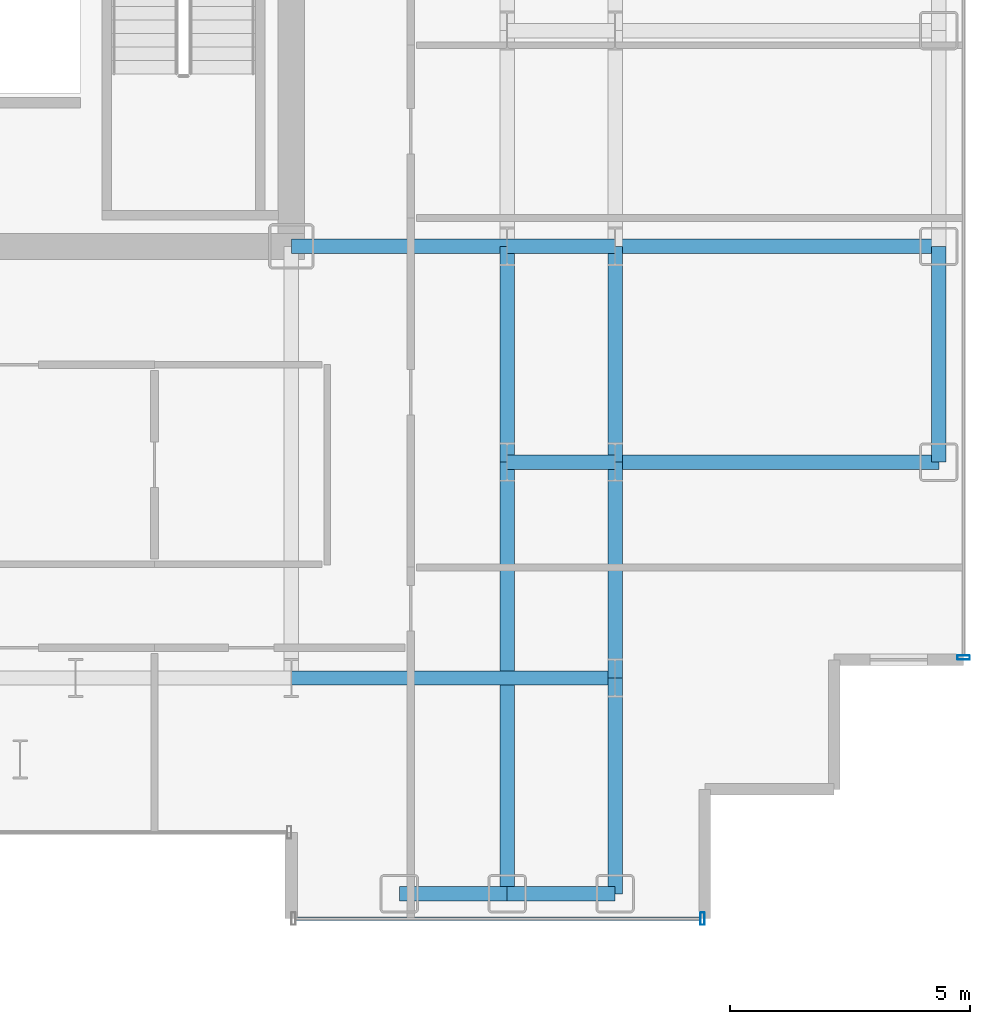
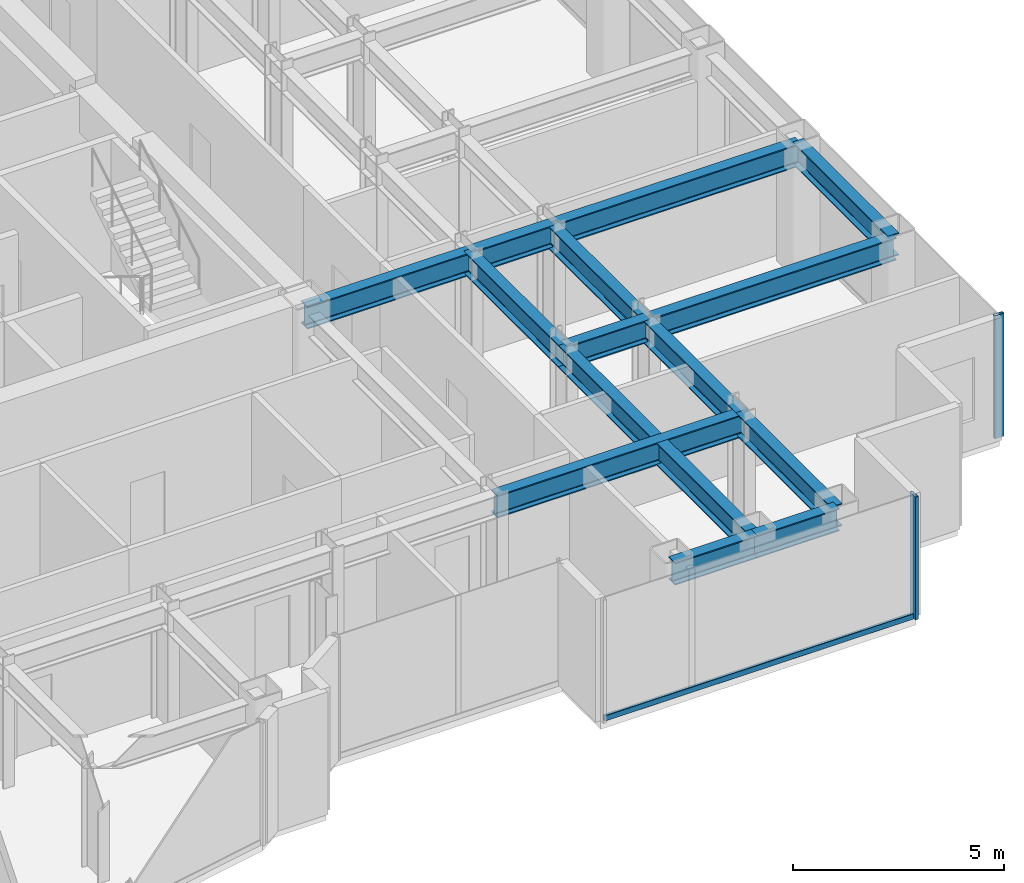
# One storey, part 8 of 23: 14 beams, 3 members, 2 elements without a shape of their own.
"""IFC4 building model written with IfcOpenShell, lengths in metres."""

from ifc_helpers import new_model, si_unit, direction, frame, origin, origin_2d, place, context, subcontext, project, spatial, hollow_rectangle, i_section, extrude, source, transform, mapped, material, layer, layer_set, material_profile, profile_set, type_object, element, aggregate, save


model = new_model("IFC4")

# Units and contexts
model_context = context("Model", 3, precision=1e-05, world=origin(), true_north=direction((0.0, 1.0)))
body_context = subcontext(model_context, "Body", "Model", "MODEL_VIEW")
ifc_project = project(units=[si_unit("LENGTHUNIT", "METRE"), si_unit("AREAUNIT", "SQUARE_METRE"), si_unit("VOLUMEUNIT", "CUBIC_METRE"), si_unit("PLANEANGLEUNIT", "RADIAN"), si_unit("MASSUNIT", "GRAM", prefix="KILO")], contexts=[model_context])

# Site, building, storey
site_placement = place(None, origin())
site = spatial("IfcSite", under=ifc_project, at=site_placement, CompositionType="ELEMENT")
building_placement = place(site_placement, origin())
building = spatial("IfcBuilding", under=site, at=building_placement, Name="Nefas-Gora Pilgrimage Tower", CompositionType="ELEMENT")
storey_placement = place(building_placement, frame((0.0, 0.0, 152.60009765625)))
storey = spatial("IfcBuildingStorey", under=building, at=storey_placement, Name="L37", CompositionType="ELEMENT", Elevation=152.60009765625)

# Beams
ifc_material_1 = material(Name="Steel S355", Category="steel")
ifc_material_profile_1 = material_profile(ifc_material_1, i_section(OverallWidth=0.300048828125, OverallDepth=0.64990234375, WebThickness=0.01611328125, FlangeThickness=0.031005859375, FilletRadius=0.027099609375, at=origin_2d()), Name="HEB 650")
ifc_profile_set_1 = profile_set([ifc_material_profile_1], Name="Steel S355")
beam_type_1 = type_object("IfcBeamType", Name="BM-SPN-HEB500", PredefinedType="SPANDREL", material=ifc_profile_set_1)
shared_shape_1 = source(origin(), body_context, "Body", "SweptSolid", [
    extrude(i_section(OverallWidth=0.300048828125, OverallDepth=0.64990234375, WebThickness=0.01611328125, FlangeThickness=0.031005859375, FilletRadius=0.027099609375, at=origin_2d()), origin(), (0.0, 0.0, 1.0), 4.5),
])
beam_1_placement = place(storey_placement, frame((24.75, -13.5, 3.224853515625), z_axis=(0.0, 1.0, 0.0), x_axis=(-1.0, 0.0, 0.0)))
element("IfcBeam", 1, at=beam_1_placement, inside=storey, type_object=beam_type_1, Name="L37 SP-02 beam", PredefinedType="SPANDREL", context=body_context, shape_type="MappedRepresentation", body=[
    mapped(shared_shape_1, transform((0.0, 0.0, 0.0), x_axis=(1.0, 0.0, 0.0), y_axis=(0.0, 1.0, 0.0), z_axis=(0.0, 0.0, 1.0), scale=1.0)),
])
ifc_material_profile_2 = material_profile(ifc_material_1, i_section(OverallWidth=0.300048828125, OverallDepth=0.64990234375, WebThickness=0.01611328125, FlangeThickness=0.031005859375, FilletRadius=0.027099609375, at=origin_2d()), Name="HEB 650")
ifc_profile_set_2 = profile_set([ifc_material_profile_2], Name="Steel S355")
beam_type_2 = type_object("IfcBeamType", Name="BM-GIR-HEB650", PredefinedType="BEAM", material=ifc_profile_set_2)
shared_shape_2 = source(origin(), body_context, "Body", "SweptSolid", [
    extrude(i_section(OverallWidth=0.300048828125, OverallDepth=0.64990234375, WebThickness=0.01611328125, FlangeThickness=0.031005859375, FilletRadius=0.027099609375, at=origin_2d()), origin(), (0.0, 0.0, 1.0), 9.0),
])
beam_2_placement = place(storey_placement, frame((15.75, -22.5, 3.224853515625), z_axis=(0.0, 1.0, 0.0), x_axis=(-1.0, 0.0, 0.0)))
element("IfcBeam", 2, at=beam_2_placement, inside=storey, type_object=beam_type_2, Name="L37 G-03 beam", PredefinedType="BEAM", context=body_context, shape_type="MappedRepresentation", body=[
    mapped(shared_shape_2, transform((0.0, 0.0, 0.0), x_axis=(1.0, 0.0, 0.0), y_axis=(0.0, 1.0, 0.0), z_axis=(0.0, 0.0, 1.0), scale=1.0)),
])
shared_shape_3 = source(origin(), body_context, "Body", "SweptSolid", [
    extrude(i_section(OverallWidth=0.300048828125, OverallDepth=0.64990234375, WebThickness=0.01611328125, FlangeThickness=0.031005859375, FilletRadius=0.027099609375, at=origin_2d()), origin(), (0.0, 0.0, 1.0), 4.5),
])
for number, where, z_axis, x_axis, name in (
    (3, (11.25, -9.0, 3.224853515625), (1.0, 0.0, 0.0), (0.0, 1.0, 0.0), "L37 G-03 beam"),
    (4, (15.75, -13.5, 3.224853515625), (0.0, 1.0, 0.0), (-1.0, 0.0, 0.0), "L37 G-03 beam"),
    (5, (18.0, -22.5, 3.224853515625), (0.0, 1.0, 0.0), (-1.0, 0.0, 0.0), "L37 G-03 beam"),
    (6, (18.0, -18.0, 3.224853515625), (0.0, 1.0, 0.0), (-1.0, 0.0, 0.0), "L37 G-03 beam"),
    (7, (18.0, -13.5, 3.224853515625), (0.0, 1.0, 0.0), (-1.0, 0.0, 0.0), "L37 G-03 beam"),
):
    element("IfcBeam", number, at=place(storey_placement, frame(where, z_axis=z_axis, x_axis=x_axis)), inside=storey, type_object=beam_type_2, Name=name, PredefinedType="BEAM", context=body_context, shape_type="MappedRepresentation", body=[
        mapped(shared_shape_3, transform((0.0, 0.0, 0.0), x_axis=(1.0, 0.0, 0.0), y_axis=(0.0, 1.0, 0.0), z_axis=(0.0, 0.0, 1.0), scale=1.0)),
    ])
shared_shape_4 = source(origin(), body_context, "Body", "SweptSolid", [
    extrude(i_section(OverallWidth=0.300048828125, OverallDepth=0.64990234375, WebThickness=0.01611328125, FlangeThickness=0.031005859375, FilletRadius=0.027099609375, at=origin_2d()), origin(), (0.0, 0.0, 1.0), 6.75),
])
for number, where, z_axis, x_axis, name in (
    (8, (11.25, -18.0, 3.224853515625), (1.0, 0.0, 0.0), (0.0, 1.0, 0.0), "L37 G-03 beam"),
    (9, (18.0, -13.5, 3.224853515625), (1.0, 0.0, 0.0), (0.0, 1.0, 0.0), "L37 G-03 beam"),
    (10, (18.0, -9.0, 3.224853515625), (1.0, 0.0, 0.0), (0.0, 1.0, 0.0), "L37 G-03 beam"),
):
    element("IfcBeam", number, at=place(storey_placement, frame(where, z_axis=z_axis, x_axis=x_axis)), inside=storey, type_object=beam_type_2, Name=name, PredefinedType="BEAM", context=body_context, shape_type="MappedRepresentation", body=[
        mapped(shared_shape_4, transform((0.0, 0.0, 0.0), x_axis=(1.0, 0.0, 0.0), y_axis=(0.0, 1.0, 0.0), z_axis=(0.0, 0.0, 1.0), scale=1.0)),
    ])
shared_shape_5 = source(origin(), body_context, "Body", "SweptSolid", [
    extrude(i_section(OverallWidth=0.300048828125, OverallDepth=0.64990234375, WebThickness=0.01611328125, FlangeThickness=0.031005859375, FilletRadius=0.027099609375, at=origin_2d()), origin(), (0.0, 0.0, 1.0), 2.25),
])
for number, where, z_axis, x_axis, name in (
    (11, (13.5, -22.5, 3.224853515625), (1.0, 0.0, 0.0), (0.0, 1.0, 0.0), "L37 SP-02 beam"),
    (12, (15.75, -22.5, 3.224853515625), (1.0, 0.0, 0.0), (0.0, 1.0, 0.0), "L37 SP-02 beam"),
):
    element("IfcBeam", number, at=place(storey_placement, frame(where, z_axis=z_axis, x_axis=x_axis)), inside=storey, type_object=beam_type_1, Name=name, PredefinedType="SPANDREL", context=body_context, shape_type="MappedRepresentation", body=[
        mapped(shared_shape_5, transform((0.0, 0.0, 0.0), x_axis=(1.0, 0.0, 0.0), y_axis=(0.0, 1.0, 0.0), z_axis=(0.0, 0.0, 1.0), scale=1.0)),
    ])
shared_shape_6 = source(origin(), body_context, "Body", "SweptSolid", [
    extrude(i_section(OverallWidth=0.300048828125, OverallDepth=0.64990234375, WebThickness=0.01611328125, FlangeThickness=0.031005859375, FilletRadius=0.027099609375, at=origin_2d()), origin(), (0.0, 0.0, 1.0), 2.25),
])
for number, where, z_axis, x_axis, name in (
    (13, (15.75, -13.5, 3.224853515625), (1.0, 0.0, 0.0), (0.0, 1.0, 0.0), "L37 G-03 beam"),
    (14, (15.75, -9.0, 3.224853515625), (1.0, 0.0, 0.0), (0.0, 1.0, 0.0), "L37 G-03 beam"),
):
    element("IfcBeam", number, at=place(storey_placement, frame(where, z_axis=z_axis, x_axis=x_axis)), inside=storey, type_object=beam_type_2, Name=name, PredefinedType="BEAM", context=body_context, shape_type="MappedRepresentation", body=[
        mapped(shared_shape_6, transform((0.0, 0.0, 0.0), x_axis=(1.0, 0.0, 0.0), y_axis=(0.0, 1.0, 0.0), z_axis=(0.0, 0.0, 1.0), scale=1.0)),
    ])

# Curtain wall, members
ifc_material_2 = material(Name="Dark ceramic-fritted solar-control aluminium-glass curtain wall", Category="aluminium")
ifc_layer = layer(ifc_material_2, 0.219970703125)
ifc_layer_set = layer_set([ifc_layer], Name="Dark ceramic-fritted solar-control aluminium-glass curtain wall")
curtain_wall_type = type_object("IfcCurtainWallType", Name="CW-SYS-3", PredefinedType="NOTDEFINED", material=ifc_layer_set)
curtain_wall_1_placement = place(storey_placement, origin())
curtain_wall_1 = element("IfcCurtainWall", 15, at=curtain_wall_1_placement, inside=storey, type_object=curtain_wall_type, Name="L37 Unitised Curtain Wall CW3", PredefinedType="NOTDEFINED")
ifc_material_3 = material(Name="Anodised architectural aluminium", Category="aluminium")
ifc_material_profile_3 = material_profile(ifc_material_3, hollow_rectangle(XDim=0.080078125, YDim=0.159912109375, WallThickness=0.00439453125, InnerFilletRadius=0.00439453125, OuterFilletRadius=0.009033203125, at=origin_2d()), Name="ALU TRANSOM 80x160")
ifc_profile_set_3 = profile_set([ifc_material_profile_3], Name="Anodised architectural aluminium")
member_type_1 = type_object("IfcMemberType", Name="CWM-TRN-3", PredefinedType="USERDEFINED", material=ifc_profile_set_3)
shared_shape_7 = source(origin(), body_context, "Body", "SweptSolid", [
    extrude(hollow_rectangle(XDim=0.080078125, YDim=0.159912109375, WallThickness=0.00439453125, InnerFilletRadius=0.00439453125, OuterFilletRadius=0.009033203125, at=origin_2d()), origin(), (0.0, 0.0, 1.0), 8.43994140625),
])
member_1_placement = place(storey_placement, frame((11.340087890625, -23.02001953125, 0.0498046875), z_axis=(1.0, 0.0, 0.0), x_axis=(0.0, 1.0, 0.0)))
member_1 = element("IfcMember", 16, at=member_1_placement, type_object=member_type_1, Name="CW3 Spandrel Transom", ObjectType="TRANSOM", PredefinedType="USERDEFINED", context=body_context, shape_type="MappedRepresentation", body=[
    mapped(shared_shape_7, transform((0.0, 0.0, 0.0), x_axis=(1.0, 0.0, 0.0), y_axis=(0.0, 1.0, 0.0), z_axis=(0.0, 0.0, 1.0), scale=1.0)),
])
ifc_material_profile_4 = material_profile(ifc_material_3, hollow_rectangle(XDim=0.090087890625, YDim=0.260009765625, WallThickness=0.006103515625, InnerFilletRadius=0.006103515625, OuterFilletRadius=0.011962890625, at=origin_2d()), Name="ALU MULLION 90x260")
ifc_profile_set_4 = profile_set([ifc_material_profile_4], Name="Anodised architectural aluminium")
member_type_2 = type_object("IfcMemberType", Name="CWM-MUL-3", PredefinedType="MULLION", material=ifc_profile_set_4)
shared_shape_8 = source(origin(), body_context, "Body", "SweptSolid", [
    extrude(hollow_rectangle(XDim=0.090087890625, YDim=0.260009765625, WallThickness=0.006103515625, InnerFilletRadius=0.006103515625, OuterFilletRadius=0.011962890625, at=origin_2d()), origin(), (0.0, 0.0, 1.0), 3.5498046875),
])
member_2_placement = place(storey_placement, frame((19.824951171875, -23.02001953125, 0.0), z_axis=(0.0, 0.0, 1.0), x_axis=(1.0, 0.0, 0.0)))
member_2 = element("IfcMember", 17, at=member_2_placement, type_object=member_type_2, Name="CW3 Mullion 2", PredefinedType="MULLION", context=body_context, shape_type="MappedRepresentation", body=[
    mapped(shared_shape_8, transform((0.0, 0.0, 0.0), x_axis=(1.0, 0.0, 0.0), y_axis=(0.0, 1.0, 0.0), z_axis=(0.0, 0.0, 1.0), scale=1.0)),
])
aggregate(curtain_wall_1, [member_2, member_1])

# Curtain wall, member
curtain_wall_2_placement = place(storey_placement, origin())
curtain_wall_2 = element("IfcCurtainWall", 18, at=curtain_wall_2_placement, inside=storey, type_object=curtain_wall_type, Name="L37 Unitised Curtain Wall CW3", PredefinedType="NOTDEFINED")
member_3_placement = place(storey_placement, frame((25.27001953125, -17.574951171875, 0.0), z_axis=(0.0, 0.0, 1.0), x_axis=(0.0, 1.0, 0.0)))
member_3 = element("IfcMember", 19, at=member_3_placement, type_object=member_type_2, Name="CW3 Mullion 1", PredefinedType="MULLION", context=body_context, shape_type="MappedRepresentation", body=[
    mapped(shared_shape_8, transform((0.0, 0.0, 0.0), x_axis=(1.0, 0.0, 0.0), y_axis=(0.0, 1.0, 0.0), z_axis=(0.0, 0.0, 1.0), scale=1.0)),
])
aggregate(curtain_wall_2, [member_3])

save(model, "model.ifc")
